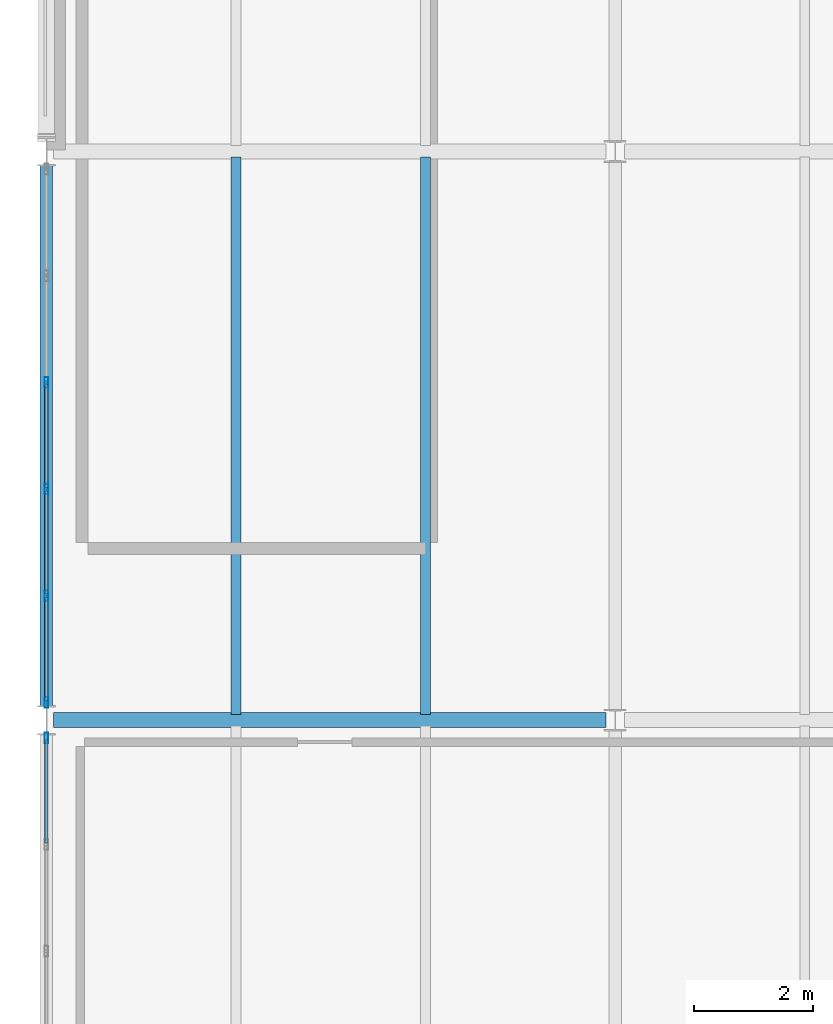
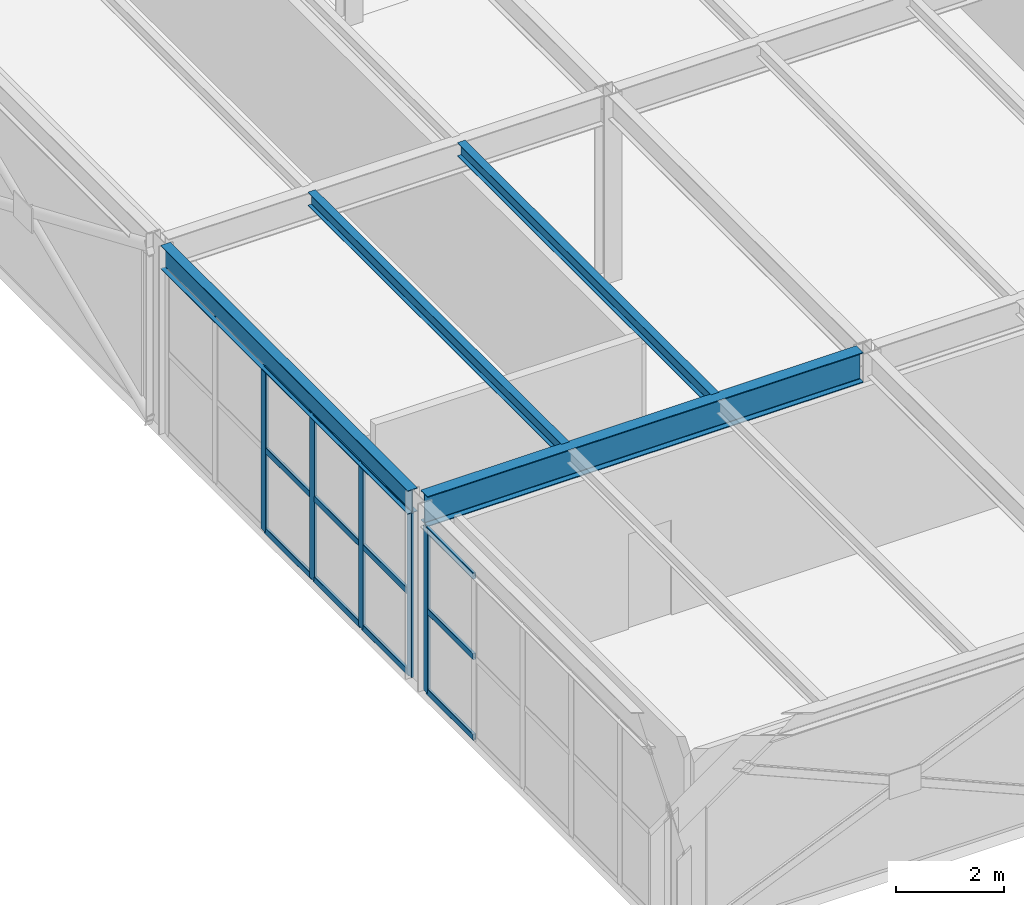
# One storey, part 18 of 170: 17 members, 4 beams, 2 elements without a shape of their own.
"""IFC4 building model written with IfcOpenShell, lengths in metres."""

from ifc_helpers import new_model, si_unit, direction, frame, origin, origin_2d, place, context, subcontext, project, spatial, hollow_rectangle, i_section, extrude, material, material_profile, profile_set, type_object, element, aggregate, save


model = new_model("IFC4")

# Units and contexts
model_context = context("Model", 3, precision=1e-05, world=origin(), true_north=direction((0.0, 1.0)))
body_context = subcontext(model_context, "Body", "Model", "MODEL_VIEW")
ifc_project = project(units=[si_unit("LENGTHUNIT", "METRE"), si_unit("AREAUNIT", "SQUARE_METRE"), si_unit("VOLUMEUNIT", "CUBIC_METRE"), si_unit("PLANEANGLEUNIT", "RADIAN"), si_unit("MASSUNIT", "GRAM", prefix="KILO")], contexts=[model_context])

# Site, building, storey
site_placement = place(None, origin())
site = spatial("IfcSite", under=ifc_project, at=site_placement, CompositionType="ELEMENT")
building_placement = place(site_placement, origin())
building = spatial("IfcBuilding", under=site, at=building_placement, Name="Coralgate Yard Interchange", CompositionType="ELEMENT")
storey_placement = place(building_placement, frame((0.0, 0.0, 6.0)))
storey = spatial("IfcBuildingStorey", under=building, at=storey_placement, Name="L01", CompositionType="ELEMENT", Elevation=6.0)

# Beams
ifc_material_1 = material(Name="Structural steel S355J2", Category="steel")
ifc_material_profile_1 = material_profile(ifc_material_1, i_section(OverallWidth=0.209228515625, OverallDepth=0.533203125, WebThickness=0.010009765625, FlangeThickness=0.015625, FilletRadius=0.0126953125, at=origin_2d()), Name="UB 533x210x92")
ifc_profile_set_1 = profile_set([ifc_material_profile_1], Name="Structural steel S355J2")
beam_type_1 = type_object("IfcBeamType", Name="BM-SB-1", PredefinedType="BEAM", material=ifc_profile_set_1)
beam_1_placement = place(storey_placement, frame((0.0, 9.820068359375, 3.9833984375), z_axis=(0.0, 1.0, 0.0), x_axis=(-1.0, 0.0, 0.0)))
element("IfcBeam", 1, at=beam_1_placement, inside=storey, type_object=beam_type_1, Name="L01 primary grid girder X0 Y1-2", PredefinedType="BEAM", context=body_context, shape_type="SweptSolid", body=[
    extrude(i_section(OverallWidth=0.209228515625, OverallDepth=0.533203125, WebThickness=0.010009765625, FlangeThickness=0.015625, FilletRadius=0.0126953125, at=origin_2d()), origin(), (0.0, 0.0, 1.0), 9.159912109375),
])
ifc_material_profile_2 = material_profile(ifc_material_1, i_section(OverallWidth=0.253662109375, OverallDepth=0.68359375, WebThickness=0.012451171875, FlangeThickness=0.01904296875, FilletRadius=0.01513671875, at=origin_2d()), Name="UB 686x254x140")
ifc_profile_set_2 = profile_set([ifc_material_profile_2], Name="Structural steel S355J2")
beam_type_2 = type_object("IfcBeamType", Name="BM-SG-4", PredefinedType="BEAM", material=ifc_profile_set_2)
beam_2_placement = place(storey_placement, frame((0.1201171875, 9.60009765625, 3.908203125), z_axis=(1.0, 0.0, 0.0), x_axis=(0.0, 1.0, 0.0)))
element("IfcBeam", 2, at=beam_2_placement, inside=storey, type_object=beam_type_2, Name="L01 primary grid beam Y1 X0-1", PredefinedType="BEAM", context=body_context, shape_type="SweptSolid", body=[
    extrude(i_section(OverallWidth=0.253662109375, OverallDepth=0.68359375, WebThickness=0.012451171875, FlangeThickness=0.01904296875, FilletRadius=0.01513671875, at=origin_2d()), origin(), (0.0, 0.0, 1.0), 9.323486328125),
])
ifc_material_profile_3 = material_profile(ifc_material_1, i_section(OverallWidth=0.1650390625, OverallDepth=0.303466796875, WebThickness=0.006103515625, FlangeThickness=0.01025390625, FilletRadius=0.0087890625, at=origin_2d()), Name="UB 305x165x40")
ifc_profile_set_3 = profile_set([ifc_material_profile_3], Name="Structural steel S355J2")
beam_type_3 = type_object("IfcBeamType", Name="BM-SJ-1", PredefinedType="JOIST", material=ifc_profile_set_3)
for number, where, z_axis, x_axis, name in (
    (3, (3.199951171875, 9.69677734375, 4.098388671875), (0.0, 1.0, 0.0), (-1.0, 0.0, 0.0), "L01 composite floor joist 0-1-1"),
    (4, (6.39990234375, 9.69677734375, 4.098388671875), (0.0, 1.0, 0.0), (-1.0, 0.0, 0.0), "L01 composite floor joist 0-1-2"),
):
    element("IfcBeam", number, at=place(storey_placement, frame(where, z_axis=z_axis, x_axis=x_axis)), inside=storey, type_object=beam_type_3, Name=name, PredefinedType="JOIST", context=body_context, shape_type="SweptSolid", body=[
        extrude(i_section(OverallWidth=0.1650390625, OverallDepth=0.303466796875, WebThickness=0.006103515625, FlangeThickness=0.01025390625, FilletRadius=0.0087890625, at=origin_2d()), origin(), (0.0, 0.0, 1.0), 9.40625),
    ])

# Curtain wall, member
ifc_material_2 = material(Name="Anodised coastal aluminium and solar-control low-E glass", Category="aluminium")
curtain_wall_type_1 = type_object("IfcCurtainWallType", Name="CW-CW-L01-B", PredefinedType="NOTDEFINED", material=ifc_material_2)
curtain_wall_1_placement = place(storey_placement, origin())
curtain_wall_1 = element("IfcCurtainWall", 5, at=curtain_wall_1_placement, inside=storey, type_object=curtain_wall_type_1, Name="L01 unitised curtain wall CW-L01-W-00-00", PredefinedType="NOTDEFINED")
ifc_material_3 = material(Name="Anodised coastal aluminium 6063-T6", Category="aluminium")
ifc_material_profile_4 = material_profile(ifc_material_3, hollow_rectangle(XDim=0.06005859375, YDim=0.179931640625, WallThickness=0.00390625, InnerFilletRadius=0.00390625, OuterFilletRadius=0.008056640625, at=origin_2d()), Name="ALU 60x180x4")
ifc_profile_set_4 = profile_set([ifc_material_profile_4], Name="Anodised coastal aluminium 6063-T6")
member_type_1 = type_object("IfcMemberType", Name="MB-MUL-180", PredefinedType="MULLION", material=ifc_profile_set_4)
member_1_placement = place(storey_placement, frame((0.0, 9.300048828125, 0.0), z_axis=(0.0, 0.0, 1.0), x_axis=(1.0, 0.0, 0.0)))
member_1 = element("IfcMember", 6, at=member_1_placement, type_object=member_type_1, Name="CW-L01-W-00-00 vertical mullion 6", PredefinedType="MULLION", context=body_context, shape_type="SweptSolid", body=[
    extrude(hollow_rectangle(XDim=0.06005859375, YDim=0.179931640625, WallThickness=0.00390625, InnerFilletRadius=0.00390625, OuterFilletRadius=0.008056640625, at=origin_2d()), origin(), (0.0, 0.0, 1.0), 3.716796875),
])

# Curtain wall, members
curtain_wall_type_2 = type_object("IfcCurtainWallType", Name="CW-CW-L01-A", PredefinedType="NOTDEFINED", material=ifc_material_2)
curtain_wall_2_placement = place(storey_placement, origin())
curtain_wall_2 = element("IfcCurtainWall", 7, at=curtain_wall_2_placement, inside=storey, type_object=curtain_wall_type_2, Name="L01 unitised curtain wall CW-L01-W-00-01", PredefinedType="NOTDEFINED")
member_2_placement = place(storey_placement, frame((0.0, 9.89990234375, 0.0), z_axis=(0.0, 0.0, 1.0), x_axis=(1.0, 0.0, 0.0)))
member_2 = element("IfcMember", 8, at=member_2_placement, type_object=member_type_1, Name="CW-L01-W-00-01 vertical mullion 1", PredefinedType="MULLION", context=body_context, shape_type="SweptSolid", body=[
    extrude(hollow_rectangle(XDim=0.06005859375, YDim=0.179931640625, WallThickness=0.00390625, InnerFilletRadius=0.00390625, OuterFilletRadius=0.008056640625, at=origin_2d()), origin(), (0.0, 0.0, 1.0), 3.716796875),
])
member_3_placement = place(storey_placement, frame((0.0, 11.699951171875, 0.0), z_axis=(0.0, 0.0, 1.0), x_axis=(1.0, 0.0, 0.0)))
member_3 = element("IfcMember", 9, at=member_3_placement, type_object=member_type_1, Name="CW-L01-W-00-01 vertical mullion 2", PredefinedType="MULLION", context=body_context, shape_type="SweptSolid", body=[
    extrude(hollow_rectangle(XDim=0.06005859375, YDim=0.179931640625, WallThickness=0.00390625, InnerFilletRadius=0.00390625, OuterFilletRadius=0.008056640625, at=origin_2d()), origin(), (0.0, 0.0, 1.0), 3.716796875),
])
member_4_placement = place(storey_placement, frame((0.0, 13.5, 0.0), z_axis=(0.0, 0.0, 1.0), x_axis=(1.0, 0.0, 0.0)))
member_4 = element("IfcMember", 10, at=member_4_placement, type_object=member_type_1, Name="CW-L01-W-00-01 vertical mullion 3", PredefinedType="MULLION", context=body_context, shape_type="SweptSolid", body=[
    extrude(hollow_rectangle(XDim=0.06005859375, YDim=0.179931640625, WallThickness=0.00390625, InnerFilletRadius=0.00390625, OuterFilletRadius=0.008056640625, at=origin_2d()), origin(), (0.0, 0.0, 1.0), 3.716796875),
])
member_5_placement = place(storey_placement, frame((0.0, 15.300048828125, 0.0), z_axis=(0.0, 0.0, 1.0), x_axis=(1.0, 0.0, 0.0)))
member_5 = element("IfcMember", 11, at=member_5_placement, type_object=member_type_1, Name="CW-L01-W-00-01 vertical mullion 4", PredefinedType="MULLION", context=body_context, shape_type="SweptSolid", body=[
    extrude(hollow_rectangle(XDim=0.06005859375, YDim=0.179931640625, WallThickness=0.00390625, InnerFilletRadius=0.00390625, OuterFilletRadius=0.008056640625, at=origin_2d()), origin(), (0.0, 0.0, 1.0), 3.716796875),
])

# Member
ifc_material_profile_5 = material_profile(ifc_material_3, hollow_rectangle(XDim=0.06005859375, YDim=0.139892578125, WallThickness=0.00341796875, InnerFilletRadius=0.00341796875, OuterFilletRadius=0.007080078125, at=origin_2d()), Name="ALU 60x140x3.5")
ifc_profile_set_5 = profile_set([ifc_material_profile_5], Name="Anodised coastal aluminium 6063-T6")
member_type_2 = type_object("IfcMemberType", Name="MB-TRN-140", PredefinedType="USERDEFINED", material=ifc_profile_set_5)
member_6_placement = place(storey_placement, frame((0.0, 7.530029296875, 0.034912109375), z_axis=(0.0, 1.0, 0.0), x_axis=(-1.0, 0.0, 0.0)))
member_6 = element("IfcMember", 12, at=member_6_placement, type_object=member_type_2, Name="CW-L01-W-00-00 horizontal transom 5-1", ObjectType="TRANSOM", PredefinedType="USERDEFINED", context=body_context, shape_type="SweptSolid", body=[
    extrude(hollow_rectangle(XDim=0.06005859375, YDim=0.139892578125, WallThickness=0.00341796875, InnerFilletRadius=0.00341796875, OuterFilletRadius=0.007080078125, at=origin_2d()), origin(), (0.0, 0.0, 1.0), 1.739990234375),
])

member_7_placement = place(storey_placement, frame((0.0, 7.530029296875, 1.8583984375), z_axis=(0.0, 1.0, 0.0), x_axis=(-1.0, 0.0, 0.0)))
member_7 = element("IfcMember", 13, at=member_7_placement, type_object=member_type_2, Name="CW-L01-W-00-00 horizontal transom 5-2", ObjectType="TRANSOM", PredefinedType="USERDEFINED", context=body_context, shape_type="SweptSolid", body=[
    extrude(hollow_rectangle(XDim=0.06005859375, YDim=0.139892578125, WallThickness=0.00341796875, InnerFilletRadius=0.00341796875, OuterFilletRadius=0.007080078125, at=origin_2d()), origin(), (0.0, 0.0, 1.0), 1.739990234375),
])

member_8_placement = place(storey_placement, frame((0.0, 7.530029296875, 3.681884765625), z_axis=(0.0, 1.0, 0.0), x_axis=(-1.0, 0.0, 0.0)))
member_8 = element("IfcMember", 14, at=member_8_placement, type_object=member_type_2, Name="CW-L01-W-00-00 horizontal transom 5-3", ObjectType="TRANSOM", PredefinedType="USERDEFINED", context=body_context, shape_type="SweptSolid", body=[
    extrude(hollow_rectangle(XDim=0.06005859375, YDim=0.139892578125, WallThickness=0.00341796875, InnerFilletRadius=0.00341796875, OuterFilletRadius=0.007080078125, at=origin_2d()), origin(), (0.0, 0.0, 1.0), 1.739990234375),
])

aggregate(curtain_wall_1, [member_1, member_6, member_7, member_8])

member_9_placement = place(storey_placement, frame((0.0, 9.929931640625, 0.034912109375), z_axis=(0.0, 1.0, 0.0), x_axis=(-1.0, 0.0, 0.0)))
member_9 = element("IfcMember", 15, at=member_9_placement, type_object=member_type_2, Name="CW-L01-W-00-01 horizontal transom 1-1", ObjectType="TRANSOM", PredefinedType="USERDEFINED", context=body_context, shape_type="SweptSolid", body=[
    extrude(hollow_rectangle(XDim=0.06005859375, YDim=0.139892578125, WallThickness=0.00341796875, InnerFilletRadius=0.00341796875, OuterFilletRadius=0.007080078125, at=origin_2d()), origin(), (0.0, 0.0, 1.0), 1.739990234375),
])

member_10_placement = place(storey_placement, frame((0.0, 9.929931640625, 1.8583984375), z_axis=(0.0, 1.0, 0.0), x_axis=(-1.0, 0.0, 0.0)))
member_10 = element("IfcMember", 16, at=member_10_placement, type_object=member_type_2, Name="CW-L01-W-00-01 horizontal transom 1-2", ObjectType="TRANSOM", PredefinedType="USERDEFINED", context=body_context, shape_type="SweptSolid", body=[
    extrude(hollow_rectangle(XDim=0.06005859375, YDim=0.139892578125, WallThickness=0.00341796875, InnerFilletRadius=0.00341796875, OuterFilletRadius=0.007080078125, at=origin_2d()), origin(), (0.0, 0.0, 1.0), 1.739990234375),
])

member_11_placement = place(storey_placement, frame((0.0, 9.929931640625, 3.681884765625), z_axis=(0.0, 1.0, 0.0), x_axis=(-1.0, 0.0, 0.0)))
member_11 = element("IfcMember", 17, at=member_11_placement, type_object=member_type_2, Name="CW-L01-W-00-01 horizontal transom 1-3", ObjectType="TRANSOM", PredefinedType="USERDEFINED", context=body_context, shape_type="SweptSolid", body=[
    extrude(hollow_rectangle(XDim=0.06005859375, YDim=0.139892578125, WallThickness=0.00341796875, InnerFilletRadius=0.00341796875, OuterFilletRadius=0.007080078125, at=origin_2d()), origin(), (0.0, 0.0, 1.0), 1.739990234375),
])

member_12_placement = place(storey_placement, frame((0.0, 11.72998046875, 0.034912109375), z_axis=(0.0, 1.0, 0.0), x_axis=(-1.0, 0.0, 0.0)))
member_12 = element("IfcMember", 18, at=member_12_placement, type_object=member_type_2, Name="CW-L01-W-00-01 horizontal transom 2-1", ObjectType="TRANSOM", PredefinedType="USERDEFINED", context=body_context, shape_type="SweptSolid", body=[
    extrude(hollow_rectangle(XDim=0.06005859375, YDim=0.139892578125, WallThickness=0.00341796875, InnerFilletRadius=0.00341796875, OuterFilletRadius=0.007080078125, at=origin_2d()), origin(), (0.0, 0.0, 1.0), 1.739990234375),
])

member_13_placement = place(storey_placement, frame((0.0, 11.72998046875, 1.8583984375), z_axis=(0.0, 1.0, 0.0), x_axis=(-1.0, 0.0, 0.0)))
member_13 = element("IfcMember", 19, at=member_13_placement, type_object=member_type_2, Name="CW-L01-W-00-01 horizontal transom 2-2", ObjectType="TRANSOM", PredefinedType="USERDEFINED", context=body_context, shape_type="SweptSolid", body=[
    extrude(hollow_rectangle(XDim=0.06005859375, YDim=0.139892578125, WallThickness=0.00341796875, InnerFilletRadius=0.00341796875, OuterFilletRadius=0.007080078125, at=origin_2d()), origin(), (0.0, 0.0, 1.0), 1.739990234375),
])

member_14_placement = place(storey_placement, frame((0.0, 11.72998046875, 3.681884765625), z_axis=(0.0, 1.0, 0.0), x_axis=(-1.0, 0.0, 0.0)))
member_14 = element("IfcMember", 20, at=member_14_placement, type_object=member_type_2, Name="CW-L01-W-00-01 horizontal transom 2-3", ObjectType="TRANSOM", PredefinedType="USERDEFINED", context=body_context, shape_type="SweptSolid", body=[
    extrude(hollow_rectangle(XDim=0.06005859375, YDim=0.139892578125, WallThickness=0.00341796875, InnerFilletRadius=0.00341796875, OuterFilletRadius=0.007080078125, at=origin_2d()), origin(), (0.0, 0.0, 1.0), 1.739990234375),
])

member_15_placement = place(storey_placement, frame((0.0, 13.530029296875, 0.034912109375), z_axis=(0.0, 1.0, 0.0), x_axis=(-1.0, 0.0, 0.0)))
member_15 = element("IfcMember", 21, at=member_15_placement, type_object=member_type_2, Name="CW-L01-W-00-01 horizontal transom 3-1", ObjectType="TRANSOM", PredefinedType="USERDEFINED", context=body_context, shape_type="SweptSolid", body=[
    extrude(hollow_rectangle(XDim=0.06005859375, YDim=0.139892578125, WallThickness=0.00341796875, InnerFilletRadius=0.00341796875, OuterFilletRadius=0.007080078125, at=origin_2d()), origin(), (0.0, 0.0, 1.0), 1.739990234375),
])

member_16_placement = place(storey_placement, frame((0.0, 13.530029296875, 1.8583984375), z_axis=(0.0, 1.0, 0.0), x_axis=(-1.0, 0.0, 0.0)))
member_16 = element("IfcMember", 22, at=member_16_placement, type_object=member_type_2, Name="CW-L01-W-00-01 horizontal transom 3-2", ObjectType="TRANSOM", PredefinedType="USERDEFINED", context=body_context, shape_type="SweptSolid", body=[
    extrude(hollow_rectangle(XDim=0.06005859375, YDim=0.139892578125, WallThickness=0.00341796875, InnerFilletRadius=0.00341796875, OuterFilletRadius=0.007080078125, at=origin_2d()), origin(), (0.0, 0.0, 1.0), 1.739990234375),
])

member_17_placement = place(storey_placement, frame((0.0, 13.530029296875, 3.681884765625), z_axis=(0.0, 1.0, 0.0), x_axis=(-1.0, 0.0, 0.0)))
member_17 = element("IfcMember", 23, at=member_17_placement, type_object=member_type_2, Name="CW-L01-W-00-01 horizontal transom 3-3", ObjectType="TRANSOM", PredefinedType="USERDEFINED", context=body_context, shape_type="SweptSolid", body=[
    extrude(hollow_rectangle(XDim=0.06005859375, YDim=0.139892578125, WallThickness=0.00341796875, InnerFilletRadius=0.00341796875, OuterFilletRadius=0.007080078125, at=origin_2d()), origin(), (0.0, 0.0, 1.0), 1.739990234375),
])

aggregate(curtain_wall_2, [member_2, member_3, member_4, member_5, member_9, member_10, member_11, member_12, member_13, member_14, member_15, member_16, member_17])

save(model, "model.ifc")
